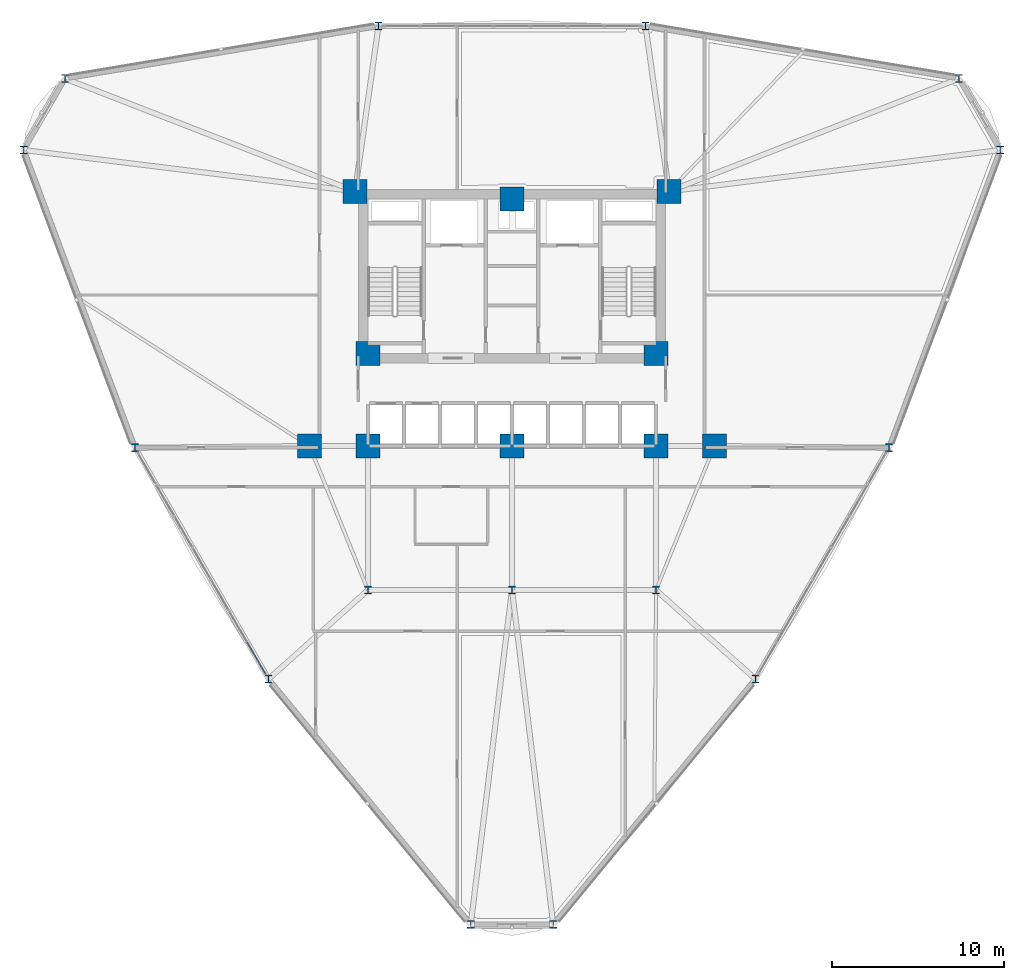
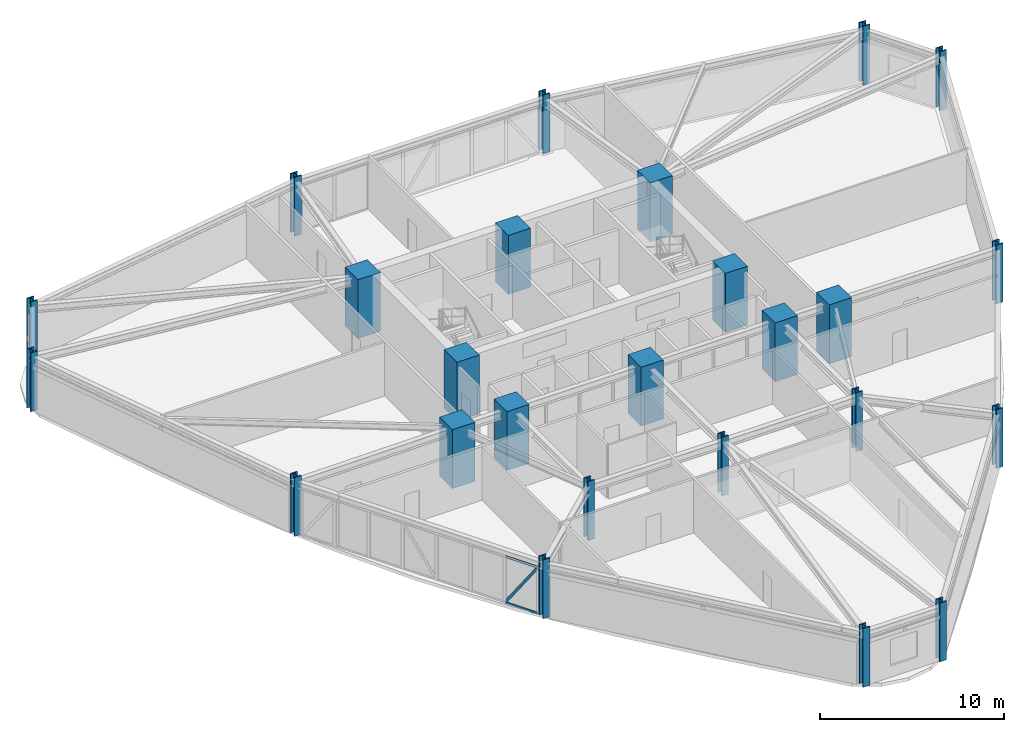
# One storey, part 1 of 22: 25 columns, 3 members, 1 element without a shape of its own.
"""IFC4 building model written with IfcOpenShell, lengths in metres."""

import ifcopenshell
import ifcopenshell.guid

model = None  # the IFC model being written
_history = None  # IfcOwnerHistory: only IFC2X3 demands one
_inside = {}  # id of a spatial element -> (the spatial element, [elements in it])
_under = {}  # id of a project, library or spatial element -> (it, [spatial elements below it])
_declared = {}  # id of a project -> (the project, [libraries it declares])
_typed = {}  # id of a type object -> (the type object, [elements of that type])
_made_of = {}  # id of a material, layer set ... -> (it, [elements and type objects made of it])


def new_model(schema):
    """Start an empty IFC model of exactly this schema.

    Asked for "IFC4X3", IfcOpenShell would pick the latest addendum, in which some entities
    have other attributes; the version numbers below select the first issue.
    IFC2X3 requires an IfcOwnerHistory on every rooted entity: one is made here for all.
    """
    global model, _history
    if schema == "IFC4X3":
        model = ifcopenshell.file(schema_version=(4, 3, 0, 0))
    else:
        model = ifcopenshell.file(schema=schema)
    _inside.clear()
    _under.clear()
    _declared.clear()
    _typed.clear()
    _made_of.clear()
    _history = None
    if model.schema == "IFC2X3":
        org = make("IfcOrganization", Name="unknown")
        user = make(
            "IfcPersonAndOrganization",
            ThePerson=make("IfcPerson", FamilyName="unknown"),
            TheOrganization=org,
        )
        app = make(
            "IfcApplication",
            ApplicationDeveloper=org,
            Version="unknown",
            ApplicationFullName="unknown",
            ApplicationIdentifier="unknown",
        )
        _history = make(
            "IfcOwnerHistory",
            OwningUser=user,
            OwningApplication=app,
            ChangeAction="ADDED",
            CreationDate=0,
        )
    return model


def make(cls, **values):
    """One entity of the class cls with the attributes given. An attribute that is None is left unset."""
    return model.create_entity(
        cls, **{name: value for name, value in values.items() if value is not None}
    )


def rooted(cls, **values):
    """An entity with a GlobalId (a new one), such as an element, a storey or a relation."""
    return make(cls, GlobalId=ifcopenshell.guid.new(), OwnerHistory=_history, **values)


def si_unit(unit_type, name, prefix=None):
    """IfcSIUnit, for example si_unit("LENGTHUNIT", "METRE", prefix="MILLI")."""
    return make("IfcSIUnit", UnitType=unit_type, Prefix=prefix, Name=name)


def derived_unit(unit_type, elements):
    """IfcDerivedUnit: a product of units, each with its exponent."""
    return make(
        "IfcDerivedUnit",
        Elements=[
            make("IfcDerivedUnitElement", Unit=unit, Exponent=power)
            for unit, power in elements
        ],
        UnitType=unit_type,
    )


def assignment(units):
    """IfcUnitAssignment: the units of a project."""
    return None if units is None else make("IfcUnitAssignment", Units=units)


def point(xyz):
    """IfcCartesianPoint."""
    return None if xyz is None else make("IfcCartesianPoint", Coordinates=xyz)


def direction(xyz):
    """IfcDirection."""
    return None if xyz is None else make("IfcDirection", DirectionRatios=xyz)


def frame(location, z_axis=None, x_axis=None):
    """IfcAxis2Placement3D, a coordinate frame: its origin and axes. An axis left out is left unset."""
    return make(
        "IfcAxis2Placement3D",
        Location=point(location),
        Axis=direction(z_axis),
        RefDirection=direction(x_axis),
    )


def frame_2d(location, x_axis=None):
    """IfcAxis2Placement2D, a coordinate frame in the plane: its origin and x axis."""
    return make(
        "IfcAxis2Placement2D", Location=point(location), RefDirection=direction(x_axis)
    )


def origin():
    """The frame at (0, 0, 0) with its axes left unset."""
    return frame((0.0, 0.0, 0.0))


def origin_2d():
    """The frame at (0, 0) in the plane with its x axis left unset."""
    return frame_2d((0.0, 0.0))


def place(relative_to, where):
    """IfcLocalPlacement: puts the frame where relative to a parent placement (None: the world)."""
    return make(
        "IfcLocalPlacement", PlacementRelTo=relative_to, RelativePlacement=where
    )


def context(
    kind, dimensions, precision=None, world=None, true_north=None, identifier=None
):
    """IfcGeometricRepresentationContext, for example the 3D "Model" context."""
    return make(
        "IfcGeometricRepresentationContext",
        ContextIdentifier=identifier,
        ContextType=kind,
        CoordinateSpaceDimension=dimensions,
        Precision=precision,
        WorldCoordinateSystem=world,
        TrueNorth=true_north,
    )


def subcontext(parent, identifier, kind, view, scale=None):
    """IfcGeometricRepresentationSubContext, for example "Body" below "Model"."""
    return make(
        "IfcGeometricRepresentationSubContext",
        ContextIdentifier=identifier,
        ContextType=kind,
        ParentContext=parent,
        TargetScale=scale,
        TargetView=view,
    )


def project(units=None, contexts=None):
    """IfcProject with its units and contexts."""
    return rooted(
        "IfcProject",
        Name="project",
        RepresentationContexts=contexts,
        UnitsInContext=assignment(units),
    )


def spatial(cls, under=None, at=None, **own):
    """A site, building, storey or space (cls), placed at a placement, below another one or the project."""
    s = rooted(cls, ObjectPlacement=at, **own)
    if under is not None:
        _under.setdefault(under.id(), (under, []))[1].append(s)
    return s


def profile(cls, at=None, kind="AREA", **sizes):
    """A parametric profile (cls). Its sizes go by their IFC names, for example OverallWidth=200.0."""
    return make(cls, ProfileType=kind, Position=at, **sizes)


def rectangle(**sizes):
    """IfcRectangleProfileDef."""
    return profile("IfcRectangleProfileDef", **sizes)


def hollow_rectangle(**sizes):
    """IfcRectangleHollowProfileDef."""
    return profile("IfcRectangleHollowProfileDef", **sizes)


def i_section(**sizes):
    """IfcIShapeProfileDef."""
    return profile("IfcIShapeProfileDef", **sizes)


def extrude(swept, where, along, depth):
    """IfcExtrudedAreaSolid: the profile swept, set in the frame where, extruded along a direction by depth."""
    return make(
        "IfcExtrudedAreaSolid",
        SweptArea=swept,
        Position=where,
        ExtrudedDirection=direction(along),
        Depth=depth,
    )


def shape(context_of_items, identifier, shape_type, items):
    """IfcShapeRepresentation: the items that make up one representation, for example the "Body"."""
    return make(
        "IfcShapeRepresentation",
        ContextOfItems=context_of_items,
        RepresentationIdentifier=identifier,
        RepresentationType=shape_type,
        Items=items,
    )


def source(mapping_origin, context_of_items, identifier, shape_type, items):
    """IfcRepresentationMap: a shape defined once, which mapped items show again and again."""
    return make(
        "IfcRepresentationMap",
        MappingOrigin=mapping_origin,
        MappedRepresentation=shape(context_of_items, identifier, shape_type, items),
    )


def transform(
    local_origin,
    x_axis=None,
    y_axis=None,
    z_axis=None,
    scale=None,
    scale2=None,
    scale3=None,
    uniform=True,
):
    """IfcCartesianTransformationOperator3D, or its non-uniform kind. x_axis, y_axis, z_axis: its Axis1, 2, 3."""
    if uniform:
        return make(
            "IfcCartesianTransformationOperator3D",
            Axis1=direction(x_axis),
            Axis2=direction(y_axis),
            LocalOrigin=point(local_origin),
            Scale=scale,
            Axis3=direction(z_axis),
        )
    return make(
        "IfcCartesianTransformationOperator3DnonUniform",
        Axis1=direction(x_axis),
        Axis2=direction(y_axis),
        LocalOrigin=point(local_origin),
        Scale=scale,
        Axis3=direction(z_axis),
        Scale2=scale2,
        Scale3=scale3,
    )


def mapped(mapping_source, mapping_target):
    """IfcMappedItem: shows the shape of a source again, moved by a transform."""
    return make(
        "IfcMappedItem", MappingSource=mapping_source, MappingTarget=mapping_target
    )


def material(Name=None, Category=None):
    """IfcMaterial."""
    return make("IfcMaterial", Name=Name, Category=Category)


def layer(
    of_material, thickness, ventilated=None, Name=None, Category=None, Priority=None
):
    """IfcMaterialLayer: one layer of a wall or slab, of a material (None: an air gap)."""
    return make(
        "IfcMaterialLayer",
        Material=of_material,
        LayerThickness=thickness,
        IsVentilated=ventilated,
        Name=Name,
        Category=Category,
        Priority=Priority,
    )


def layer_set(layers, Name=None):
    """IfcMaterialLayerSet."""
    return make("IfcMaterialLayerSet", MaterialLayers=layers, LayerSetName=Name)


def material_profile(
    of_material, cross_section, Name=None, Category=None, Priority=None
):
    """IfcMaterialProfile: a cross section and its material."""
    return make(
        "IfcMaterialProfile",
        Name=Name,
        Material=of_material,
        Profile=cross_section,
        Priority=Priority,
        Category=Category,
    )


def profile_set(profiles, Name=None, composite=None):
    """IfcMaterialProfileSet."""
    return make(
        "IfcMaterialProfileSet",
        Name=Name,
        MaterialProfiles=profiles,
        CompositeProfile=composite,
    )


def made_of(thing, what):
    """Note that an element or type object is made of a material, layer set ...; save() writes the relation."""
    if what is not None:
        _made_of.setdefault(what.id(), (what, []))[1].append(thing)
    return thing


def type_object(cls, material=None, **own):
    """A type object (cls), such as IfcWallType, which elements share."""
    return made_of(rooted(cls, **own), material)


def element(
    cls,
    number,
    at=None,
    inside=None,
    cuts=None,
    type_object=None,
    material=None,
    context=None,
    identifier="Body",
    shape_type=None,
    held_by="IfcProductDefinitionShape",
    body=None,
    shapes=None,
    **own,
):
    """One element of the class cls, such as IfcWall. Its Tag is "e" and its number.

    at: its placement. inside: the storey or other place that contains it. cuts: it is an
    opening in that element (IfcRelVoidsElement). A single representation is given by context,
    identifier, shape_type and body (its items); several are given by shapes. held_by: the class
    of the entity that holds the representations. save() writes the other relations.
    """
    e = rooted(cls, Tag="e%d" % number, ObjectPlacement=at, **own)
    if body is not None:
        shapes = [shape(context, identifier, shape_type, body)]
    if shapes is not None:
        e.Representation = make(held_by, Representations=shapes)
    if inside is not None:
        _inside.setdefault(inside.id(), (inside, []))[1].append(e)
    if cuts is not None:
        rooted(
            "IfcRelVoidsElement", RelatingBuildingElement=cuts, RelatedOpeningElement=e
        )
    if type_object is not None:
        _typed.setdefault(type_object.id(), (type_object, []))[1].append(e)
    return made_of(e, material)


def aggregate(whole, parts):
    """IfcRelAggregates: a whole, such as a stair, and the parts it consists of."""
    return rooted("IfcRelAggregates", RelatingObject=whole, RelatedObjects=parts)


def save(model, path):
    """Write the relations noted so far, then the file.

    IfcRelAggregates (storeys below a building ...), IfcRelContainedInSpatialStructure (elements
    in a storey), IfcRelDefinesByType, IfcRelAssociatesMaterial and IfcRelDeclares: one each for
    every whole, place, type object, material and project.
    """
    for whole, parts in _under.values():
        aggregate(whole, parts)
    for where, things in _inside.values():
        rooted(
            "IfcRelContainedInSpatialStructure",
            RelatedElements=things,
            RelatingStructure=where,
        )
    for kind, things in _typed.values():
        rooted("IfcRelDefinesByType", RelatedObjects=things, RelatingType=kind)
    for what, things in _made_of.values():
        rooted("IfcRelAssociatesMaterial", RelatedObjects=things, RelatingMaterial=what)
    for by, libraries in _declared.values():
        rooted("IfcRelDeclares", RelatingContext=by, RelatedDefinitions=libraries)
    model.write(path)


model = new_model("IFC4")

# Units and contexts
model_context = context("Model", 3, precision=1e-05, world=origin(), true_north=direction((0.0, 1.0)))
body_context = subcontext(model_context, "Body", "Model", "MODEL_VIEW")
ifc_project = project(units=[si_unit("LENGTHUNIT", "METRE"), si_unit("AREAUNIT", "SQUARE_METRE"), si_unit("VOLUMEUNIT", "CUBIC_METRE"), si_unit("PLANEANGLEUNIT", "RADIAN"), si_unit("MASSUNIT", "GRAM", prefix="KILO"), derived_unit("THERMALTRANSMITTANCEUNIT", [(si_unit("POWERUNIT", "WATT"), 1), (si_unit("LENGTHUNIT", "METRE"), -2), (si_unit("THERMODYNAMICTEMPERATUREUNIT", "KELVIN"), -1)])], contexts=[model_context])

# Site, building, storey
site_placement = place(None, origin())
site = spatial("IfcSite", under=ifc_project, at=site_placement, CompositionType="ELEMENT")
building_placement = place(site_placement, origin())
building = spatial("IfcBuilding", under=site, at=building_placement, Name="Korsvarv Bourse and Concert Hall", CompositionType="ELEMENT")
storey_placement = place(building_placement, frame((0.0, 0.0, 55.199951171875)))
storey = spatial("IfcBuildingStorey", under=building, at=storey_placement, Name="L13", CompositionType="ELEMENT", Elevation=55.199951171875)

# Columns
ifc_material_1 = material(Name="Concrete C60/75", Category="concrete")
ifc_material_profile_1 = material_profile(ifc_material_1, rectangle(XDim=1.39990234375, YDim=1.39990234375, at=origin_2d()), Name="RC 1400x1400")
ifc_profile_set_1 = profile_set([ifc_material_profile_1], Name="Concrete C60/75")
column_type_1 = type_object("IfcColumnType", Name="COL-RC1400", PredefinedType="COLUMN", material=ifc_profile_set_1)
shared_shape_1 = source(origin(), body_context, "Body", "SweptSolid", [
    extrude(rectangle(XDim=1.39990234375, YDim=1.39990234375, at=origin_2d()), origin(), (0.0, 0.0, 1.0), 3.900146484375),
])
for number, where, z_axis, x_axis, name in (
    (1, (26.85009765625, 47.25, 0.0), (0.0, 0.0, 1.0), (1.0, 0.0, 0.0), "L13 column C-01"),
    (2, (45.14990234375, 47.25, 0.0), (0.0, 0.0, 1.0), (1.0, 0.0, 0.0), "L13 column C-01"),
    (3, (27.60009765625, 37.800048828125, 0.0), (0.0, 0.0, 1.0), (1.0, 0.0, 0.0), "L13 column C-01"),
    (4, (44.39990234375, 37.800048828125, 0.0), (0.0, 0.0, 1.0), (1.0, 0.0, 0.0), "L13 column C-01"),
    (5, (27.60009765625, 32.39990234375, 0.0), (0.0, 0.0, 1.0), (1.0, 0.0, 0.0), "L13 column C-01"),
    (6, (44.39990234375, 32.39990234375, 0.0), (0.0, 0.0, 1.0), (1.0, 0.0, 0.0), "L13 column C-01"),
    (7, (36.0, 46.800048828125, 0.0), (0.0, 0.0, 1.0), (1.0, 0.0, 0.0), "L13 column C-01"),
    (8, (36.0, 32.39990234375, 0.0), (0.0, 0.0, 1.0), (1.0, 0.0, 0.0), "L13 column C-01"),
    (9, (24.199951171875, 32.39990234375, 0.0), (0.0, 0.0, 1.0), (1.0, 0.0, 0.0), "L13 column C-01"),
    (10, (47.800048828125, 32.39990234375, 0.0), (0.0, 0.0, 1.0), (1.0, 0.0, 0.0), "L13 column C-01"),
):
    element("IfcColumn", number, at=place(storey_placement, frame(where, z_axis=z_axis, x_axis=x_axis)), inside=storey, type_object=column_type_1, Name=name, PredefinedType="COLUMN", context=body_context, shape_type="MappedRepresentation", body=[
        mapped(shared_shape_1, transform((0.0, 0.0, 0.0), scale=1.0)),
    ])
ifc_material_2 = material(Name="Steel S460", Category="steel")
ifc_material_profile_2 = material_profile(ifc_material_2, i_section(OverallWidth=0.424072265625, OverallDepth=0.47412109375, WebThickness=0.044921875, FlangeThickness=0.072021484375, FilletRadius=0.014892578125, at=origin_2d()), Name="HD 400x634")
ifc_profile_set_2 = profile_set([ifc_material_profile_2], Name="Steel S460")
column_type_2 = type_object("IfcColumnType", Name="COL-HD634", PredefinedType="COLUMN", material=ifc_profile_set_2)
shared_shape_2 = source(origin(), body_context, "Body", "SweptSolid", [
    extrude(i_section(OverallWidth=0.424072265625, OverallDepth=0.47412109375, WebThickness=0.044921875, FlangeThickness=0.072021484375, FilletRadius=0.014892578125, at=origin_2d()), origin(), (0.0, 0.0, 1.0), 3.900146484375),
])
for number, where, z_axis, x_axis, name in (
    (11, (27.60009765625, 24.0, 0.0), (0.0, 0.0, 1.0), (1.0, 0.0, 0.0), "L13 column C-07"),
    (12, (44.39990234375, 24.0, 0.0), (0.0, 0.0, 1.0), (1.0, 0.0, 0.0), "L13 column C-07"),
    (13, (36.0, 24.0, 0.0), (0.0, 0.0, 1.0), (1.0, 0.0, 0.0), "L13 column C-07"),
    (14, (64.474609375, 49.662353515625, 0.0), (0.0, 0.0, 1.0), (1.0, 0.0, 0.0), "L13 column C-07"),
    (15, (62.069091796875, 53.82861328125, 0.0), (0.0, 0.0, 1.0), (1.0, 0.0, 0.0), "L13 column C-07"),
    (16, (43.78466796875, 56.889404296875, 0.0), (0.0, 0.0, 1.0), (1.0, 0.0, 0.0), "L13 column C-07"),
    (17, (28.21533203125, 56.889404296875, 0.0), (0.0, 0.0, 1.0), (1.0, 0.0, 0.0), "L13 column C-07"),
    (18, (9.930908203125, 53.82861328125, 0.0), (0.0, 0.0, 1.0), (1.0, 0.0, 0.0), "L13 column C-07"),
    (19, (7.525390625, 49.662353515625, 0.0), (0.0, 0.0, 1.0), (1.0, 0.0, 0.0), "L13 column C-07"),
    (20, (14.016845703125, 32.297119140625, 0.0), (0.0, 0.0, 1.0), (1.0, 0.0, 0.0), "L13 column C-07"),
    (21, (21.801513671875, 18.8134765625, 0.0), (0.0, 0.0, 1.0), (1.0, 0.0, 0.0), "L13 column C-07"),
    (22, (33.5947265625, 4.509033203125, 0.0), (0.0, 0.0, 1.0), (1.0, 0.0, 0.0), "L13 column C-07"),
    (23, (38.4052734375, 4.509033203125, 0.0), (0.0, 0.0, 1.0), (1.0, 0.0, 0.0), "L13 column C-07"),
    (24, (50.198486328125, 18.8134765625, 0.0), (0.0, 0.0, 1.0), (1.0, 0.0, 0.0), "L13 column C-07"),
    (25, (57.983154296875, 32.297119140625, 0.0), (0.0, 0.0, 1.0), (1.0, 0.0, 0.0), "L13 column C-07"),
):
    element("IfcColumn", number, at=place(storey_placement, frame(where, z_axis=z_axis, x_axis=x_axis)), inside=storey, type_object=column_type_2, Name=name, PredefinedType="COLUMN", context=body_context, shape_type="MappedRepresentation", body=[
        mapped(shared_shape_2, transform((0.0, 0.0, 0.0), scale=1.0)),
    ])

# Curtain wall, members
ifc_material_3 = material(Name="Anodised aluminium and triple low-E glazing", Category="glass")
ifc_layer = layer(ifc_material_3, 0.219970703125)
ifc_layer_set = layer_set([ifc_layer], Name="Anodised aluminium and triple low-E glazing")
curtain_wall_type = type_object("IfcCurtainWallType", Name="CW-SYS-1", PredefinedType="NOTDEFINED", material=ifc_layer_set)
curtain_wall_placement = place(storey_placement, origin())
curtain_wall = element("IfcCurtainWall", 26, at=curtain_wall_placement, inside=storey, type_object=curtain_wall_type, Name="L13 CW1 curtain wall CW-L13-F07", PredefinedType="NOTDEFINED")
ifc_material_4 = material(Name="Extruded aluminium EN AW-6063 T66", Category="aluminium")
ifc_material_profile_3 = material_profile(ifc_material_4, hollow_rectangle(XDim=0.06494140625, YDim=0.139892578125, WallThickness=0.00390625, at=origin_2d()), Name="ALU-T 65x140")
ifc_profile_set_3 = profile_set([ifc_material_profile_3], Name="Extruded aluminium EN AW-6063 T66")
member_type_1 = type_object("IfcMemberType", Name="CWT-140", PredefinedType="USERDEFINED", material=ifc_profile_set_3)
shared_shape_3 = source(origin(), body_context, "Body", "SweptSolid", [
    extrude(hollow_rectangle(XDim=0.06494140625, YDim=0.139892578125, WallThickness=0.00390625, at=origin_2d()), origin(), (0.0, 0.0, 1.0), 2.0244140625),
])
member_1_placement = place(storey_placement, frame((20.588623046875, 20.914306640625, 0.032470703125), z_axis=(0.500004315964, -0.866022911947, 0.0), x_axis=(0.866022911947, 0.500004315964, 0.0)))
member_1 = element("IfcMember", 27, at=member_1_placement, type_object=member_type_1, Name="CW1 transom 7.1", ObjectType="TRANSOM", PredefinedType="USERDEFINED", context=body_context, shape_type="MappedRepresentation", body=[
    mapped(shared_shape_3, transform((0.0, 0.0, 0.0), scale=1.0)),
])
member_2_placement = place(storey_placement, frame((20.588623046875, 20.914306640625, 3.07763671875), z_axis=(0.500004315964, -0.866022911947, 0.0), x_axis=(0.866022911947, 0.500004315964, 0.0)))
member_2 = element("IfcMember", 28, at=member_2_placement, type_object=member_type_1, Name="CW1 transom 7.2", ObjectType="TRANSOM", PredefinedType="USERDEFINED", context=body_context, shape_type="MappedRepresentation", body=[
    mapped(shared_shape_3, transform((0.0, 0.0, 0.0), scale=1.0)),
])
ifc_material_profile_4 = material_profile(ifc_material_4, hollow_rectangle(XDim=0.06494140625, YDim=0.1650390625, WallThickness=0.0048828125, at=origin_2d()), Name="ALU-M 65x165")
ifc_profile_set_4 = profile_set([ifc_material_profile_4], Name="Extruded aluminium EN AW-6063 T66")
member_type_2 = type_object("IfcMemberType", Name="CWM-165", PredefinedType="MULLION", material=ifc_profile_set_4)
shared_shape_4 = source(origin(), body_context, "Body", "SweptSolid", [
    extrude(hollow_rectangle(XDim=0.06494140625, YDim=0.1650390625, WallThickness=0.0048828125, at=origin_2d()), origin(), (0.0, 0.0, 1.0), 3.602783203125),
])
member_3_placement = place(storey_placement, frame((20.588623046875, 20.914306640625, 0.06494140625), z_axis=(0.280952782377, -0.486618892969, 0.8272046827), x_axis=(0.866022911947, 0.500004315964, 0.0)))
member_3 = element("IfcMember", 29, at=member_3_placement, type_object=member_type_2, Name="CW1 diagonal mullion 7", PredefinedType="MULLION", context=body_context, shape_type="MappedRepresentation", body=[
    mapped(shared_shape_4, transform((0.0, 0.0, 0.0), scale=1.0)),
])
aggregate(curtain_wall, [member_1, member_2, member_3])

save(model, "model.ifc")
